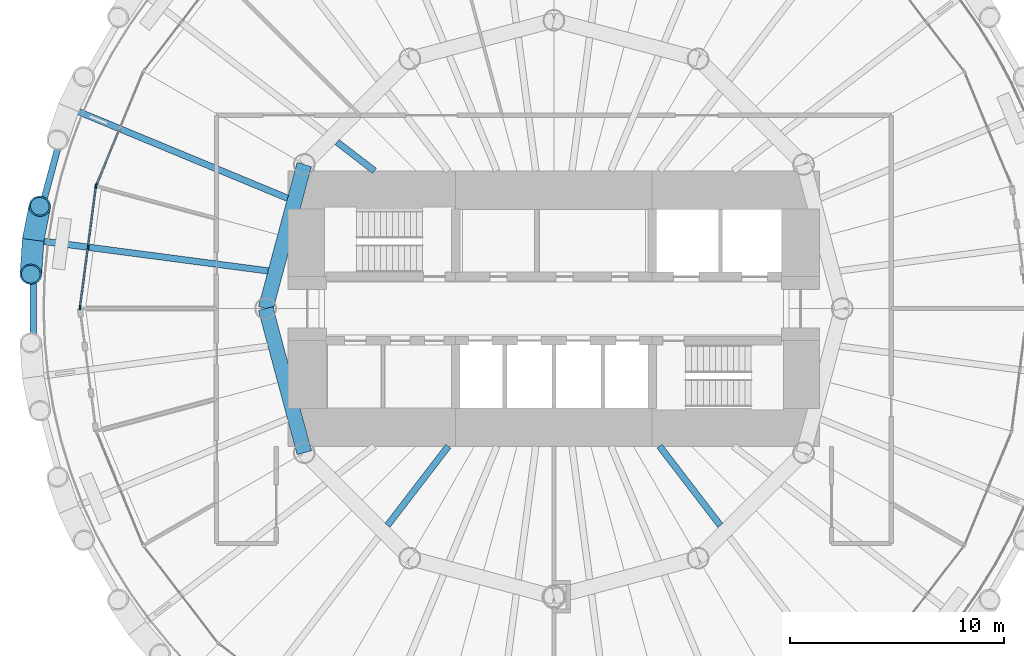
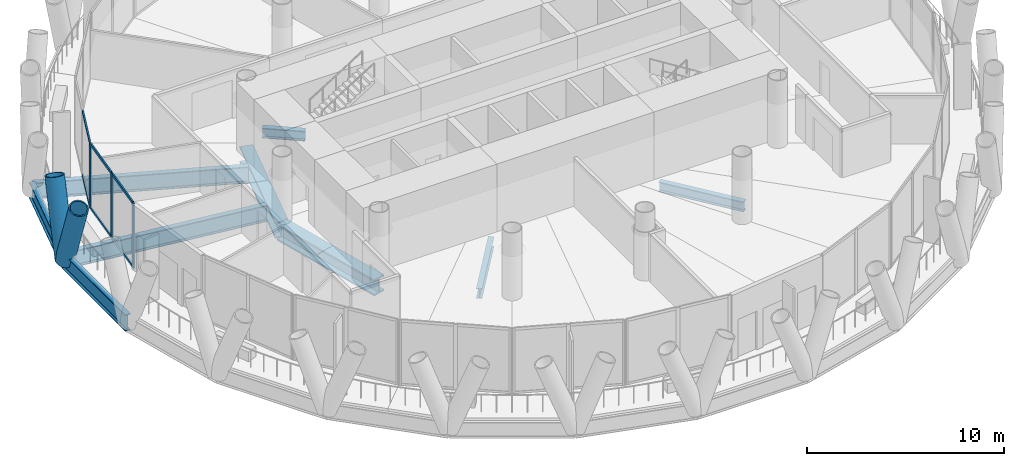
# One storey, part 3 of 14: 12 members, 9 beams, 2 elements without a shape of their own.
"""IFC4 building model written with IfcOpenShell, lengths in metres."""

from ifc_helpers import new_model, si_unit, direction, frame, origin, origin_2d, place, context, subcontext, project, spatial, rectangle, hollow_circle, i_section, extrude, material, material_profile, profile_set, type_object, element, aggregate, save


model = new_model("IFC4")

# Units and contexts
model_context = context("Model", 3, precision=1e-05, world=origin(), true_north=direction((0.0, 1.0)))
body_context = subcontext(model_context, "Body", "Model", "MODEL_VIEW")
ifc_project = project(units=[si_unit("LENGTHUNIT", "METRE"), si_unit("AREAUNIT", "SQUARE_METRE"), si_unit("VOLUMEUNIT", "CUBIC_METRE"), si_unit("PLANEANGLEUNIT", "RADIAN"), si_unit("MASSUNIT", "GRAM", prefix="KILO")], contexts=[model_context])

# Site, building, storey
site_placement = place(None, origin())
site = spatial("IfcSite", under=ifc_project, at=site_placement, CompositionType="ELEMENT")
building_placement = place(site_placement, origin())
building = spatial("IfcBuilding", under=site, at=building_placement, Name="Qaws Media Tower", CompositionType="ELEMENT")
storey_placement = place(building_placement, frame((0.0, 0.0, 168.800048828125)))
storey = spatial("IfcBuildingStorey", under=building, at=storey_placement, Name="L38", CompositionType="ELEMENT", Elevation=168.800048828125)

# Curtain wall, member
ifc_material_1 = material(Name="Aluminium and clear glass", Category="aluminium")
curtain_wall_type = type_object("IfcCurtainWallType", Name="Unitised curtain wall CW-B", PredefinedType="NOTDEFINED", material=ifc_material_1)
curtain_wall_1_placement = place(storey_placement, origin())
curtain_wall_1 = element("IfcCurtainWall", 1, at=curtain_wall_1_placement, inside=storey, type_object=curtain_wall_type, Name="CWB curtain wall L38-11", PredefinedType="NOTDEFINED")
ifc_material_2 = material(Name="Aluminium mullion", Category="aluminium")
ifc_material_profile_1 = material_profile(ifc_material_2, rectangle(XDim=0.080078125, YDim=0.199951171875, at=origin_2d()), Name="80x200")
ifc_profile_set_1 = profile_set([ifc_material_profile_1], Name="Aluminium mullion")
member_type_1 = type_object("IfcMemberType", Name="Curtain wall mullion 80x200", PredefinedType="MULLION", material=ifc_profile_set_1)
member_1_placement = place(storey_placement, frame((38.57177734375, 55.78271484375, 0.0), z_axis=(0.0, 0.0, 1.0), x_axis=(0.923879550645, -0.382683388586, 0.0)))
member_1 = element("IfcMember", 2, at=member_1_placement, type_object=member_type_1, Name="CWB mullion 3", PredefinedType="MULLION", context=body_context, shape_type="SweptSolid", body=[
    extrude(rectangle(XDim=0.080078125, YDim=0.199951171875, at=origin_2d()), origin(), (0.0, 0.0, 1.0), 4.0400390625),
])

# Curtain wall, members
curtain_wall_2_placement = place(storey_placement, origin())
curtain_wall_2 = element("IfcCurtainWall", 3, at=curtain_wall_2_placement, inside=storey, type_object=curtain_wall_type, Name="CWB curtain wall L38-12", PredefinedType="NOTDEFINED")
member_2_placement = place(storey_placement, frame((38.55126953125, 55.7060546875, 0.0), z_axis=(0.0, 0.0, 1.0), x_axis=(0.991444854284, -0.13052624607, 0.0)))
member_2 = element("IfcMember", 4, at=member_2_placement, type_object=member_type_1, Name="CWB mullion 1", PredefinedType="MULLION", context=body_context, shape_type="SweptSolid", body=[
    extrude(rectangle(XDim=0.080078125, YDim=0.199951171875, at=origin_2d()), origin(), (0.0, 0.0, 1.0), 4.0400390625),
])
member_3_placement = place(storey_placement, frame((38.17822265625, 52.872802734375, 0.0), z_axis=(0.0, 0.0, 1.0), x_axis=(0.991444854284, -0.13052624607, 0.0)))
member_3 = element("IfcMember", 5, at=member_3_placement, type_object=member_type_1, Name="CWB mullion 2", PredefinedType="MULLION", context=body_context, shape_type="SweptSolid", body=[
    extrude(rectangle(XDim=0.080078125, YDim=0.199951171875, at=origin_2d()), origin(), (0.0, 0.0, 1.0), 4.0400390625),
])
member_4_placement = place(storey_placement, frame((37.80517578125, 50.03955078125, 0.0), z_axis=(0.0, 0.0, 1.0), x_axis=(0.991444854284, -0.13052624607, 0.0)))
member_4 = element("IfcMember", 6, at=member_4_placement, type_object=member_type_1, Name="CWB mullion 3", PredefinedType="MULLION", context=body_context, shape_type="SweptSolid", body=[
    extrude(rectangle(XDim=0.080078125, YDim=0.199951171875, at=origin_2d()), origin(), (0.0, 0.0, 1.0), 4.0400390625),
])

# Member
ifc_material_3 = material(Name="Aluminium transom", Category="aluminium")
ifc_material_profile_2 = material_profile(ifc_material_3, rectangle(XDim=0.080078125, YDim=0.159912109375, at=origin_2d()), Name="80x160")
ifc_profile_set_2 = profile_set([ifc_material_profile_2], Name="Aluminium transom")
member_type_2 = type_object("IfcMemberType", Name="Curtain wall transom 80x160", PredefinedType="USERDEFINED", material=ifc_profile_set_2)
member_5_placement = place(storey_placement, frame((39.650146484375, 58.385986328125, 0.0400390625), z_axis=(-0.382667455962, -0.923886149992, 0.0), x_axis=(0.923886149992, -0.382667455962, 0.0)))
member_5 = element("IfcMember", 7, at=member_5_placement, type_object=member_type_2, Name="CWB transom 2.1", ObjectType="TRANSOM", PredefinedType="USERDEFINED", context=body_context, shape_type="SweptSolid", body=[
    extrude(rectangle(XDim=0.080078125, YDim=0.159912109375, at=origin_2d()), origin(), (0.0, 0.0, 1.0), 2.77783203125),
])

member_6_placement = place(storey_placement, frame((39.650146484375, 58.385986328125, 4.0), z_axis=(-0.382667455962, -0.923886149992, 0.0), x_axis=(0.923886149992, -0.382667455962, 0.0)))
member_6 = element("IfcMember", 8, at=member_6_placement, type_object=member_type_2, Name="CWB transom 2.2", ObjectType="TRANSOM", PredefinedType="USERDEFINED", context=body_context, shape_type="SweptSolid", body=[
    extrude(rectangle(XDim=0.080078125, YDim=0.159912109375, at=origin_2d()), origin(), (0.0, 0.0, 1.0), 2.77783203125),
])

aggregate(curtain_wall_1, [member_1, member_5, member_6])

member_7_placement = place(storey_placement, frame((38.5458984375, 55.66650390625, 0.0400390625), z_axis=(-0.130522721426, -0.991445318306, 0.0), x_axis=(0.991445318306, -0.130522721426, 0.0)))
member_7 = element("IfcMember", 9, at=member_7_placement, type_object=member_type_2, Name="CWB transom 1.1", ObjectType="TRANSOM", PredefinedType="USERDEFINED", context=body_context, shape_type="SweptSolid", body=[
    extrude(rectangle(XDim=0.080078125, YDim=0.159912109375, at=origin_2d()), origin(), (0.0, 0.0, 1.0), 2.777587890625),
])

member_8_placement = place(storey_placement, frame((38.5458984375, 55.66650390625, 4.0), z_axis=(-0.130522721426, -0.991445318306, 0.0), x_axis=(0.991445318306, -0.130522721426, 0.0)))
member_8 = element("IfcMember", 10, at=member_8_placement, type_object=member_type_2, Name="CWB transom 1.2", ObjectType="TRANSOM", PredefinedType="USERDEFINED", context=body_context, shape_type="SweptSolid", body=[
    extrude(rectangle(XDim=0.080078125, YDim=0.159912109375, at=origin_2d()), origin(), (0.0, 0.0, 1.0), 2.777587890625),
])

member_9_placement = place(storey_placement, frame((38.173095703125, 52.833251953125, 0.0400390625), z_axis=(-0.130522721426, -0.991445318306, 0.0), x_axis=(0.991445318306, -0.130522721426, 0.0)))
member_9 = element("IfcMember", 11, at=member_9_placement, type_object=member_type_2, Name="CWB transom 2.1", ObjectType="TRANSOM", PredefinedType="USERDEFINED", context=body_context, shape_type="SweptSolid", body=[
    extrude(rectangle(XDim=0.080078125, YDim=0.159912109375, at=origin_2d()), origin(), (0.0, 0.0, 1.0), 2.777587890625),
])

member_10_placement = place(storey_placement, frame((38.173095703125, 52.833251953125, 4.0), z_axis=(-0.130522721426, -0.991445318306, 0.0), x_axis=(0.991445318306, -0.130522721426, 0.0)))
member_10 = element("IfcMember", 12, at=member_10_placement, type_object=member_type_2, Name="CWB transom 2.2", ObjectType="TRANSOM", PredefinedType="USERDEFINED", context=body_context, shape_type="SweptSolid", body=[
    extrude(rectangle(XDim=0.080078125, YDim=0.159912109375, at=origin_2d()), origin(), (0.0, 0.0, 1.0), 2.777587890625),
])

aggregate(curtain_wall_2, [member_2, member_3, member_4, member_7, member_8, member_9, member_10])

# Members
ifc_material_4 = material(Name="Steel S460", Category="steel")
ifc_material_profile_3 = material_profile(ifc_material_4, hollow_circle(Radius=0.508056640625, WallThickness=0.070068359375, at=origin_2d()), Name="CHS 1016x70")
ifc_profile_set_3 = profile_set([ifc_material_profile_3], Name="Steel S460")
member_type_3 = type_object("IfcMemberType", Name="Diagrid member CHS 1016x70", PredefinedType="USERDEFINED", material=ifc_profile_set_3)
for number, where, z_axis, x_axis, name in (
    (13, (35.6103515625, 53.2109375, -0.6640625), (-0.023993083106, -0.356910681943, 0.933830336345), (0.997748074079, -0.067072950379, 0.0), "DG3 diagrid L38 A12"),
    (14, (35.6103515625, 53.2109375, -0.6640625), (0.06920992015, 0.350989289166, 0.933818240261), (-0.981108147358, 0.19346008164, 0.0), "DG3 diagrid L38 B12"),
):
    element("IfcMember", number, at=place(storey_placement, frame(where, z_axis=z_axis, x_axis=x_axis)), inside=storey, type_object=member_type_3, Name=name, ObjectType="DIAGRID", PredefinedType="USERDEFINED", context=body_context, shape_type="SweptSolid", body=[
        extrude(hollow_circle(Radius=0.508056640625, WallThickness=0.070068359375, at=origin_2d()), origin(), (0.0, 0.0, 1.0), 4.49755859375),
    ])

# Beams
ifc_material_5 = material(Name="Steel S460", Category="steel")
ifc_material_profile_4 = material_profile(ifc_material_5, i_section(OverallWidth=0.302001953125, OverallDepth=1.008056640625, WebThickness=0.02099609375, FlangeThickness=0.0400390625, FilletRadius=0.030029296875, at=origin_2d()), Name="HE 1000 M")
ifc_profile_set_4 = profile_set([ifc_material_profile_4], Name="Steel S460")
beam_type_1 = type_object("IfcBeamType", Name="Edge ring beam HE 1000 M", PredefinedType="BEAM", material=ifc_profile_set_4)
for number, where, z_axis, x_axis, name in (
    (15, (37.2724609375, 59.4140625, -0.6640625), (-0.258817162309, -0.96592633078, 0.0), (0.96592633078, -0.258817162309, 0.0), "RB3 edge ring beam L38-11"),
    (16, (35.6103515625, 53.2109375, -0.6640625), (0.0, -1.0, 0.0), (1.0, 0.0, 0.0), "RB3 edge ring beam L38-12"),
):
    element("IfcBeam", number, at=place(storey_placement, frame(where, z_axis=z_axis, x_axis=x_axis)), inside=storey, type_object=beam_type_1, Name=name, PredefinedType="BEAM", context=body_context, shape_type="SweptSolid", body=[
        extrude(i_section(OverallWidth=0.302001953125, OverallDepth=1.008056640625, WebThickness=0.02099609375, FlangeThickness=0.0400390625, FilletRadius=0.030029296875, at=origin_2d()), origin(), (0.0, 0.0, 1.0), 6.421875),
    ])
ifc_material_6 = material(Name="Steel S460", Category="steel")
ifc_material_profile_5 = material_profile(ifc_material_6, i_section(OverallWidth=0.699951171875, OverallDepth=1.0, WebThickness=0.034912109375, FlangeThickness=0.090087890625, at=origin_2d()), Name="PG 1000x700")
ifc_profile_set_5 = profile_set([ifc_material_profile_5], Name="Steel S460")
beam_type_2 = type_object("IfcBeamType", Name="Inner ring girder PG 1000x700", PredefinedType="BEAM", material=ifc_profile_set_5)
for number, where, z_axis, x_axis, name in (
    (17, (48.30859375, 56.75, -0.66015625), (-0.258810593767, -0.965928090778, 0.0), (0.965928090778, -0.258810593767, 0.0), "B3 inner ring beam L38 I06-I07"),
    (18, (46.5, 50.0, -0.66015625), (0.258810593767, -0.965928090778, 0.0), (0.965928090778, 0.258810593767, 0.0), "B3 inner ring beam L38 I07-I08"),
):
    element("IfcBeam", number, at=place(storey_placement, frame(where, z_axis=z_axis, x_axis=x_axis)), inside=storey, type_object=beam_type_2, Name=name, PredefinedType="BEAM", context=body_context, shape_type="SweptSolid", body=[
        extrude(i_section(OverallWidth=0.699951171875, OverallDepth=1.0, WebThickness=0.034912109375, FlangeThickness=0.090087890625, at=origin_2d()), origin(), (0.0, 0.0, 1.0), 6.988037109375),
    ])
ifc_material_7 = material(Name="Steel S355", Category="steel")
ifc_material_profile_6 = material_profile(ifc_material_7, i_section(OverallWidth=0.302001953125, OverallDepth=1.008056640625, WebThickness=0.02099609375, FlangeThickness=0.0400390625, FilletRadius=0.030029296875, at=origin_2d()), Name="HE 1000 M")
ifc_profile_set_6 = profile_set([ifc_material_profile_6], Name="Steel S355")
beam_type_3 = type_object("IfcBeamType", Name="Radial beam HE 1000 M", PredefinedType="BEAM", material=ifc_profile_set_6)
beam_1_placement = place(storey_placement, frame((47.5224609375, 55.16845703125, -0.6640625), z_axis=(-0.923882194876, 0.382677004785, 0.0), x_axis=(-0.382677004785, -0.923882194876, 0.0)))
element("IfcBeam", 19, at=beam_1_placement, inside=storey, type_object=beam_type_3, Name="B1 radial beam L38 11", PredefinedType="BEAM", context=body_context, shape_type="SweptSolid", body=[
    extrude(i_section(OverallWidth=0.302001953125, OverallDepth=1.008056640625, WebThickness=0.02099609375, FlangeThickness=0.0400390625, FilletRadius=0.030029296875, at=origin_2d()), origin(), (0.0, 0.0, 1.0), 11.094482421875),
])
beam_2_placement = place(storey_placement, frame((46.610107421875, 51.762939453125, -0.6640625), z_axis=(-0.991446579238, 0.13051314308, 0.0), x_axis=(-0.13051314308, -0.991446579238, 0.0)))
element("IfcBeam", 20, at=beam_2_placement, inside=storey, type_object=beam_type_3, Name="B1 radial beam L38 12", PredefinedType="BEAM", context=body_context, shape_type="SweptSolid", body=[
    extrude(i_section(OverallWidth=0.302001953125, OverallDepth=1.008056640625, WebThickness=0.02099609375, FlangeThickness=0.0400390625, FilletRadius=0.030029296875, at=origin_2d()), origin(), (0.0, 0.0, 1.0), 11.0947265625),
])
ifc_material_8 = material(Name="Steel S355", Category="steel")
ifc_material_profile_7 = material_profile(ifc_material_8, i_section(OverallWidth=0.304931640625, OverallDepth=0.6201171875, WebThickness=0.02099609375, FlangeThickness=0.0400390625, FilletRadius=0.027099609375, at=origin_2d()), Name="HE 600 M")
ifc_profile_set_7 = profile_set([ifc_material_profile_7], Name="Steel S355")
beam_type_4 = type_object("IfcBeamType", Name="Radial beam HE 600 M, core side", PredefinedType="BEAM", material=ifc_profile_set_7)
beam_3_placement = place(storey_placement, frame((51.59423828125, 56.449951171875, -0.469970703125), z_axis=(-0.793372769304, 0.608736107789, 0.0), x_axis=(-0.608736107789, -0.793372769304, 0.0)))
element("IfcBeam", 21, at=beam_3_placement, inside=storey, type_object=beam_type_4, Name="B2 radial beam L38 10", PredefinedType="BEAM", context=body_context, shape_type="SweptSolid", body=[
    extrude(i_section(OverallWidth=0.304931640625, OverallDepth=0.6201171875, WebThickness=0.02099609375, FlangeThickness=0.0400390625, FilletRadius=0.027099609375, at=origin_2d()), origin(), (0.0, 0.0, 1.0), 2.204345703125),
])
for number, where, z_axis, x_axis, name in (
    (22, (55.05078125, 43.550048828125, -0.469970703125), (-0.608747616782, -0.793363938594, 0.0), (0.793363938594, -0.608747616782, 0.0), "B2 radial beam L38 16"),
    (23, (64.94921875, 43.550048828125, -0.469970703125), (0.608747616782, -0.793363938594, 0.0), (0.793363938594, 0.608747616782, 0.0), "B2 radial beam L38 21"),
):
    element("IfcBeam", number, at=place(storey_placement, frame(where, z_axis=z_axis, x_axis=x_axis)), inside=storey, type_object=beam_type_4, Name=name, PredefinedType="BEAM", context=body_context, shape_type="SweptSolid", body=[
        extrude(i_section(OverallWidth=0.304931640625, OverallDepth=0.6201171875, WebThickness=0.02099609375, FlangeThickness=0.0400390625, FilletRadius=0.027099609375, at=origin_2d()), origin(), (0.0, 0.0, 1.0), 4.66943359375),
    ])

save(model, "model.ifc")
